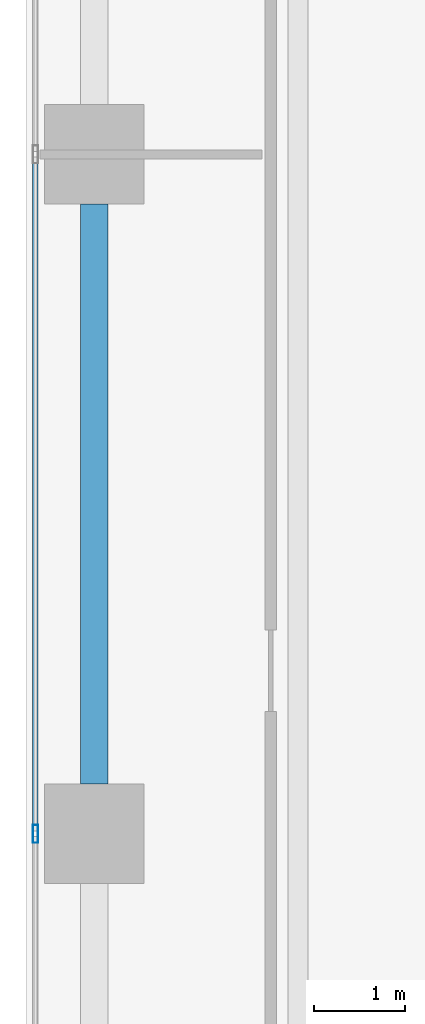
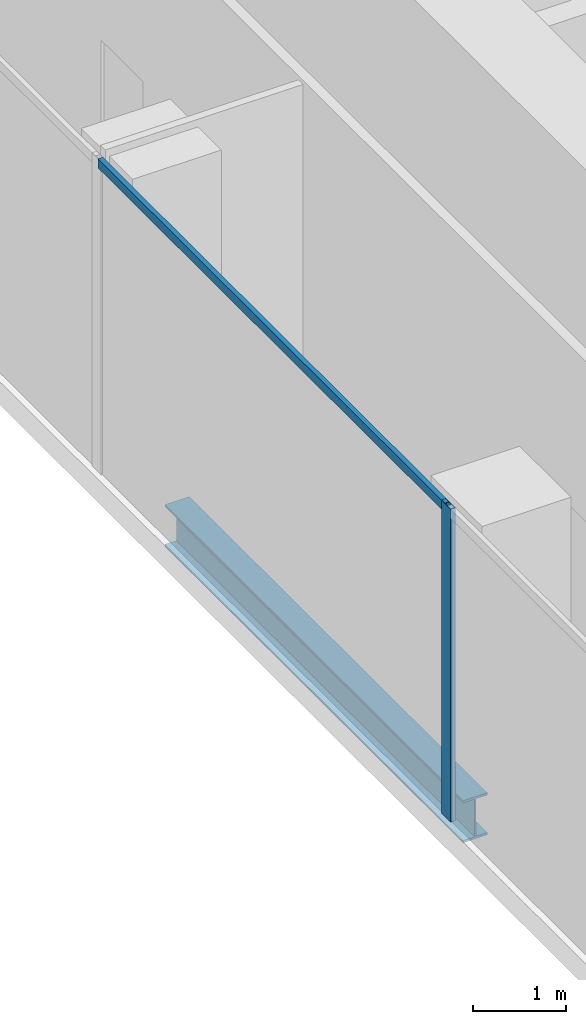
# One storey, part 4 of 35: 2 members, 1 beam, 1 element without a shape of its own.
"""IFC4 building model written with IfcOpenShell, lengths in metres."""

import ifcopenshell
import ifcopenshell.guid

model = None  # the IFC model being written
_history = None  # IfcOwnerHistory: only IFC2X3 demands one
_inside = {}  # id of a spatial element -> (the spatial element, [elements in it])
_under = {}  # id of a project, library or spatial element -> (it, [spatial elements below it])
_declared = {}  # id of a project -> (the project, [libraries it declares])
_typed = {}  # id of a type object -> (the type object, [elements of that type])
_made_of = {}  # id of a material, layer set ... -> (it, [elements and type objects made of it])


def new_model(schema):
    """Start an empty IFC model of exactly this schema.

    Asked for "IFC4X3", IfcOpenShell would pick the latest addendum, in which some entities
    have other attributes; the version numbers below select the first issue.
    IFC2X3 requires an IfcOwnerHistory on every rooted entity: one is made here for all.
    """
    global model, _history
    if schema == "IFC4X3":
        model = ifcopenshell.file(schema_version=(4, 3, 0, 0))
    else:
        model = ifcopenshell.file(schema=schema)
    _inside.clear()
    _under.clear()
    _declared.clear()
    _typed.clear()
    _made_of.clear()
    _history = None
    if model.schema == "IFC2X3":
        org = make("IfcOrganization", Name="unknown")
        user = make(
            "IfcPersonAndOrganization",
            ThePerson=make("IfcPerson", FamilyName="unknown"),
            TheOrganization=org,
        )
        app = make(
            "IfcApplication",
            ApplicationDeveloper=org,
            Version="unknown",
            ApplicationFullName="unknown",
            ApplicationIdentifier="unknown",
        )
        _history = make(
            "IfcOwnerHistory",
            OwningUser=user,
            OwningApplication=app,
            ChangeAction="ADDED",
            CreationDate=0,
        )
    return model


def make(cls, **values):
    """One entity of the class cls with the attributes given. An attribute that is None is left unset."""
    return model.create_entity(
        cls, **{name: value for name, value in values.items() if value is not None}
    )


def rooted(cls, **values):
    """An entity with a GlobalId (a new one), such as an element, a storey or a relation."""
    return make(cls, GlobalId=ifcopenshell.guid.new(), OwnerHistory=_history, **values)


def si_unit(unit_type, name, prefix=None):
    """IfcSIUnit, for example si_unit("LENGTHUNIT", "METRE", prefix="MILLI")."""
    return make("IfcSIUnit", UnitType=unit_type, Prefix=prefix, Name=name)


def assignment(units):
    """IfcUnitAssignment: the units of a project."""
    return None if units is None else make("IfcUnitAssignment", Units=units)


def point(xyz):
    """IfcCartesianPoint."""
    return None if xyz is None else make("IfcCartesianPoint", Coordinates=xyz)


def direction(xyz):
    """IfcDirection."""
    return None if xyz is None else make("IfcDirection", DirectionRatios=xyz)


def frame(location, z_axis=None, x_axis=None):
    """IfcAxis2Placement3D, a coordinate frame: its origin and axes. An axis left out is left unset."""
    return make(
        "IfcAxis2Placement3D",
        Location=point(location),
        Axis=direction(z_axis),
        RefDirection=direction(x_axis),
    )


def frame_2d(location, x_axis=None):
    """IfcAxis2Placement2D, a coordinate frame in the plane: its origin and x axis."""
    return make(
        "IfcAxis2Placement2D", Location=point(location), RefDirection=direction(x_axis)
    )


def origin():
    """The frame at (0, 0, 0) with its axes left unset."""
    return frame((0.0, 0.0, 0.0))


def origin_2d():
    """The frame at (0, 0) in the plane with its x axis left unset."""
    return frame_2d((0.0, 0.0))


def place(relative_to, where):
    """IfcLocalPlacement: puts the frame where relative to a parent placement (None: the world)."""
    return make(
        "IfcLocalPlacement", PlacementRelTo=relative_to, RelativePlacement=where
    )


def context(
    kind, dimensions, precision=None, world=None, true_north=None, identifier=None
):
    """IfcGeometricRepresentationContext, for example the 3D "Model" context."""
    return make(
        "IfcGeometricRepresentationContext",
        ContextIdentifier=identifier,
        ContextType=kind,
        CoordinateSpaceDimension=dimensions,
        Precision=precision,
        WorldCoordinateSystem=world,
        TrueNorth=true_north,
    )


def subcontext(parent, identifier, kind, view, scale=None):
    """IfcGeometricRepresentationSubContext, for example "Body" below "Model"."""
    return make(
        "IfcGeometricRepresentationSubContext",
        ContextIdentifier=identifier,
        ContextType=kind,
        ParentContext=parent,
        TargetScale=scale,
        TargetView=view,
    )


def project(units=None, contexts=None):
    """IfcProject with its units and contexts."""
    return rooted(
        "IfcProject",
        Name="project",
        RepresentationContexts=contexts,
        UnitsInContext=assignment(units),
    )


def spatial(cls, under=None, at=None, **own):
    """A site, building, storey or space (cls), placed at a placement, below another one or the project."""
    s = rooted(cls, ObjectPlacement=at, **own)
    if under is not None:
        _under.setdefault(under.id(), (under, []))[1].append(s)
    return s


def profile(cls, at=None, kind="AREA", **sizes):
    """A parametric profile (cls). Its sizes go by their IFC names, for example OverallWidth=200.0."""
    return make(cls, ProfileType=kind, Position=at, **sizes)


def hollow_rectangle(**sizes):
    """IfcRectangleHollowProfileDef."""
    return profile("IfcRectangleHollowProfileDef", **sizes)


def i_section(**sizes):
    """IfcIShapeProfileDef."""
    return profile("IfcIShapeProfileDef", **sizes)


def extrude(swept, where, along, depth):
    """IfcExtrudedAreaSolid: the profile swept, set in the frame where, extruded along a direction by depth."""
    return make(
        "IfcExtrudedAreaSolid",
        SweptArea=swept,
        Position=where,
        ExtrudedDirection=direction(along),
        Depth=depth,
    )


def shape(context_of_items, identifier, shape_type, items):
    """IfcShapeRepresentation: the items that make up one representation, for example the "Body"."""
    return make(
        "IfcShapeRepresentation",
        ContextOfItems=context_of_items,
        RepresentationIdentifier=identifier,
        RepresentationType=shape_type,
        Items=items,
    )


def source(mapping_origin, context_of_items, identifier, shape_type, items):
    """IfcRepresentationMap: a shape defined once, which mapped items show again and again."""
    return make(
        "IfcRepresentationMap",
        MappingOrigin=mapping_origin,
        MappedRepresentation=shape(context_of_items, identifier, shape_type, items),
    )


def transform(
    local_origin,
    x_axis=None,
    y_axis=None,
    z_axis=None,
    scale=None,
    scale2=None,
    scale3=None,
    uniform=True,
):
    """IfcCartesianTransformationOperator3D, or its non-uniform kind. x_axis, y_axis, z_axis: its Axis1, 2, 3."""
    if uniform:
        return make(
            "IfcCartesianTransformationOperator3D",
            Axis1=direction(x_axis),
            Axis2=direction(y_axis),
            LocalOrigin=point(local_origin),
            Scale=scale,
            Axis3=direction(z_axis),
        )
    return make(
        "IfcCartesianTransformationOperator3DnonUniform",
        Axis1=direction(x_axis),
        Axis2=direction(y_axis),
        LocalOrigin=point(local_origin),
        Scale=scale,
        Axis3=direction(z_axis),
        Scale2=scale2,
        Scale3=scale3,
    )


def mapped(mapping_source, mapping_target):
    """IfcMappedItem: shows the shape of a source again, moved by a transform."""
    return make(
        "IfcMappedItem", MappingSource=mapping_source, MappingTarget=mapping_target
    )


def material(Name=None, Category=None):
    """IfcMaterial."""
    return make("IfcMaterial", Name=Name, Category=Category)


def material_profile(
    of_material, cross_section, Name=None, Category=None, Priority=None
):
    """IfcMaterialProfile: a cross section and its material."""
    return make(
        "IfcMaterialProfile",
        Name=Name,
        Material=of_material,
        Profile=cross_section,
        Priority=Priority,
        Category=Category,
    )


def profile_set(profiles, Name=None, composite=None):
    """IfcMaterialProfileSet."""
    return make(
        "IfcMaterialProfileSet",
        Name=Name,
        MaterialProfiles=profiles,
        CompositeProfile=composite,
    )


def made_of(thing, what):
    """Note that an element or type object is made of a material, layer set ...; save() writes the relation."""
    if what is not None:
        _made_of.setdefault(what.id(), (what, []))[1].append(thing)
    return thing


def type_object(cls, material=None, **own):
    """A type object (cls), such as IfcWallType, which elements share."""
    return made_of(rooted(cls, **own), material)


def element(
    cls,
    number,
    at=None,
    inside=None,
    cuts=None,
    type_object=None,
    material=None,
    context=None,
    identifier="Body",
    shape_type=None,
    held_by="IfcProductDefinitionShape",
    body=None,
    shapes=None,
    **own,
):
    """One element of the class cls, such as IfcWall. Its Tag is "e" and its number.

    at: its placement. inside: the storey or other place that contains it. cuts: it is an
    opening in that element (IfcRelVoidsElement). A single representation is given by context,
    identifier, shape_type and body (its items); several are given by shapes. held_by: the class
    of the entity that holds the representations. save() writes the other relations.
    """
    e = rooted(cls, Tag="e%d" % number, ObjectPlacement=at, **own)
    if body is not None:
        shapes = [shape(context, identifier, shape_type, body)]
    if shapes is not None:
        e.Representation = make(held_by, Representations=shapes)
    if inside is not None:
        _inside.setdefault(inside.id(), (inside, []))[1].append(e)
    if cuts is not None:
        rooted(
            "IfcRelVoidsElement", RelatingBuildingElement=cuts, RelatedOpeningElement=e
        )
    if type_object is not None:
        _typed.setdefault(type_object.id(), (type_object, []))[1].append(e)
    return made_of(e, material)


def aggregate(whole, parts):
    """IfcRelAggregates: a whole, such as a stair, and the parts it consists of."""
    return rooted("IfcRelAggregates", RelatingObject=whole, RelatedObjects=parts)


def save(model, path):
    """Write the relations noted so far, then the file.

    IfcRelAggregates (storeys below a building ...), IfcRelContainedInSpatialStructure (elements
    in a storey), IfcRelDefinesByType, IfcRelAssociatesMaterial and IfcRelDeclares: one each for
    every whole, place, type object, material and project.
    """
    for whole, parts in _under.values():
        aggregate(whole, parts)
    for where, things in _inside.values():
        rooted(
            "IfcRelContainedInSpatialStructure",
            RelatedElements=things,
            RelatingStructure=where,
        )
    for kind, things in _typed.values():
        rooted("IfcRelDefinesByType", RelatedObjects=things, RelatingType=kind)
    for what, things in _made_of.values():
        rooted("IfcRelAssociatesMaterial", RelatedObjects=things, RelatingMaterial=what)
    for by, libraries in _declared.values():
        rooted("IfcRelDeclares", RelatingContext=by, RelatedDefinitions=libraries)
    model.write(path)


model = new_model("IFC4")

# Units and contexts
model_context = context("Model", 3, precision=1e-05, world=origin(), true_north=direction((0.0, 1.0)))
body_context = subcontext(model_context, "Body", "Model", "MODEL_VIEW")
ifc_project = project(units=[si_unit("LENGTHUNIT", "METRE"), si_unit("AREAUNIT", "SQUARE_METRE"), si_unit("VOLUMEUNIT", "CUBIC_METRE"), si_unit("PLANEANGLEUNIT", "RADIAN"), si_unit("MASSUNIT", "GRAM", prefix="KILO")], contexts=[model_context])

# Site, building, storey
site_placement = place(None, origin())
site = spatial("IfcSite", under=ifc_project, at=site_placement, CompositionType="ELEMENT")
building_placement = place(site_placement, origin())
building = spatial("IfcBuilding", under=site, at=building_placement, Name="Khomas Fold Tower", CompositionType="ELEMENT")
storey_placement = place(building_placement, frame((0.0, 0.0, 132.300048828125)))
storey = spatial("IfcBuildingStorey", under=building, at=storey_placement, Name="L28", CompositionType="ELEMENT", Elevation=132.300048828125)

# Beam
ifc_material_1 = material(Name="Steel S355", Category="steel")
ifc_material_profile_1 = material_profile(ifc_material_1, i_section(OverallWidth=0.300048828125, OverallDepth=0.550048828125, WebThickness=0.014892578125, FlangeThickness=0.029052734375, at=origin_2d()), Name="HE 550 B")
ifc_profile_set_1 = profile_set([ifc_material_profile_1], Name="Steel S355")
beam_type = type_object("IfcBeamType", Name="HE 550 B spandrel SB2", PredefinedType="SPANDREL", material=ifc_profile_set_1)
shared_shape_1 = source(origin(), body_context, "Body", "SweptSolid", [
    extrude(i_section(OverallWidth=0.300048828125, OverallDepth=0.550048828125, WebThickness=0.014892578125, FlangeThickness=0.029052734375, at=origin_2d()), origin(), (0.0, 0.0, 1.0), 6.39990234375),
])
beam_placement = place(storey_placement, frame((2.25, 12.550048828125, -0.574951171875), z_axis=(0.0, 1.0, 0.0), x_axis=(-1.0, 0.0, 0.0)))
element("IfcBeam", 1, at=beam_placement, inside=storey, type_object=beam_type, Name="SB2", PredefinedType="SPANDREL", context=body_context, shape_type="MappedRepresentation", body=[
    mapped(shared_shape_1, transform((0.0, 0.0, 0.0))),
])

# Curtain wall, members
ifc_material_2 = material(Name="Aluminium framed double glazing", Category="aluminium")
curtain_wall_type = type_object("IfcCurtainWallType", Name="SK-Unitised clear-glass wall, growing floors CW1", PredefinedType="NOTDEFINED", material=ifc_material_2)
curtain_wall_placement = place(storey_placement, origin())
curtain_wall = element("IfcCurtainWall", 2, at=curtain_wall_placement, inside=storey, type_object=curtain_wall_type, Name="CW1 run L28 09-1", PredefinedType="NOTDEFINED")
ifc_material_3 = material(Name="Aluminium", Category="aluminium")
ifc_material_profile_2 = material_profile(ifc_material_3, hollow_rectangle(XDim=0.06005859375, YDim=0.1201171875, WallThickness=0.00390625, at=origin_2d()), Name="SK-Unitised clear-glass wall, growing floors transom CW1-T")
ifc_profile_set_2 = profile_set([ifc_material_profile_2], Name="Aluminium")
member_type_1 = type_object("IfcMemberType", Name="SK-Unitised clear-glass wall, growing floors transom CW1-T", PredefinedType="USERDEFINED", material=ifc_profile_set_2)
shared_shape_2 = source(origin(), body_context, "Body", "SweptSolid", [
    extrude(hollow_rectangle(XDim=0.06005859375, YDim=0.1201171875, WallThickness=0.00390625, at=origin_2d()), origin(), (0.0, 0.0, 1.0), 7.43994140625),
])
member_1_placement = place(storey_placement, frame((1.60009765625, 19.469970703125, 4.0400390625), z_axis=(0.0, -1.0, 0.0), x_axis=(1.0, 0.0, 0.0)))
member_1 = element("IfcMember", 3, at=member_1_placement, type_object=member_type_1, Name="CW1 transom 3", ObjectType="TRANSOM", PredefinedType="USERDEFINED", context=body_context, shape_type="MappedRepresentation", body=[
    mapped(shared_shape_2, transform((0.0, 0.0, 0.0))),
])
ifc_material_4 = material(Name="Aluminium", Category="aluminium")
ifc_material_profile_3 = material_profile(ifc_material_4, hollow_rectangle(XDim=0.06005859375, YDim=0.199951171875, WallThickness=0.00390625, at=origin_2d()), Name="SK-Unitised clear-glass wall, growing floors mullion CW1-M")
ifc_profile_set_3 = profile_set([ifc_material_profile_3], Name="Aluminium")
member_type_2 = type_object("IfcMemberType", Name="SK-Unitised clear-glass wall, growing floors mullion CW1-M", PredefinedType="MULLION", material=ifc_profile_set_3)
shared_shape_3 = source(origin(), body_context, "Body", "SweptSolid", [
    extrude(hollow_rectangle(XDim=0.06005859375, YDim=0.199951171875, WallThickness=0.00390625, at=origin_2d()), origin(), (0.0, 0.0, 1.0), 4.099853515625),
])
member_2_placement = place(storey_placement, frame((1.60009765625, 12.0, 0.0), z_axis=(0.0, 0.0, 1.0), x_axis=(1.0, 0.0, 0.0)))
member_2 = element("IfcMember", 4, at=member_2_placement, type_object=member_type_2, Name="CW1 mullion 4", PredefinedType="MULLION", context=body_context, shape_type="MappedRepresentation", body=[
    mapped(shared_shape_3, transform((0.0, 0.0, 0.0))),
])
aggregate(curtain_wall, [member_2, member_1])

save(model, "model.ifc")
